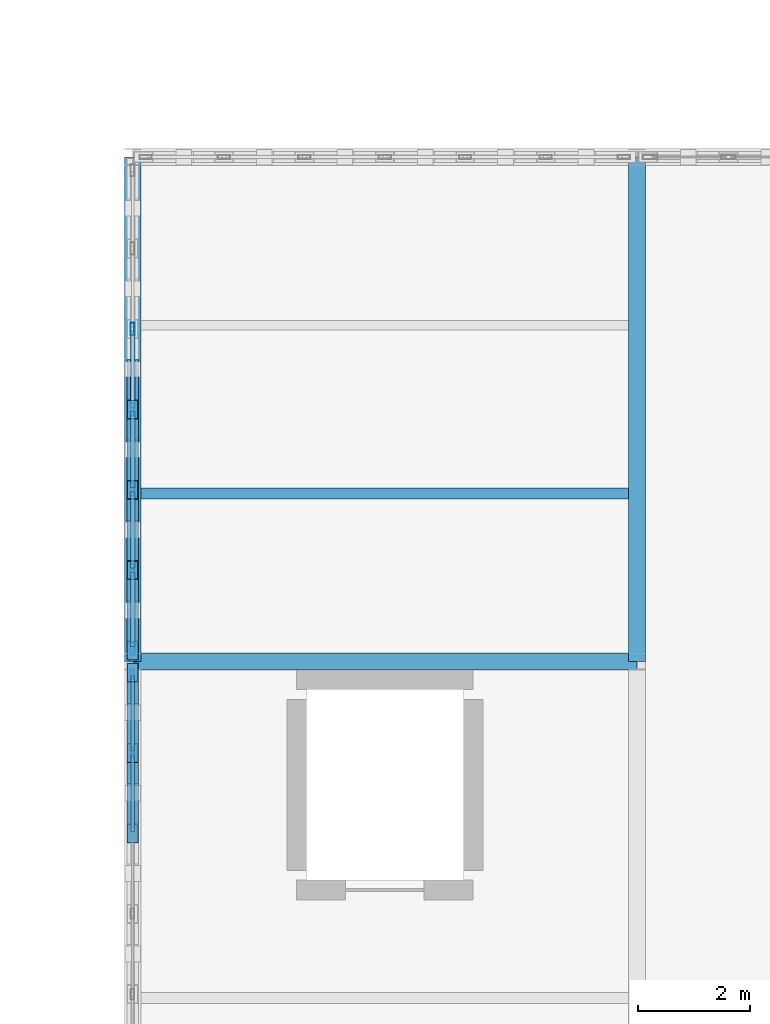
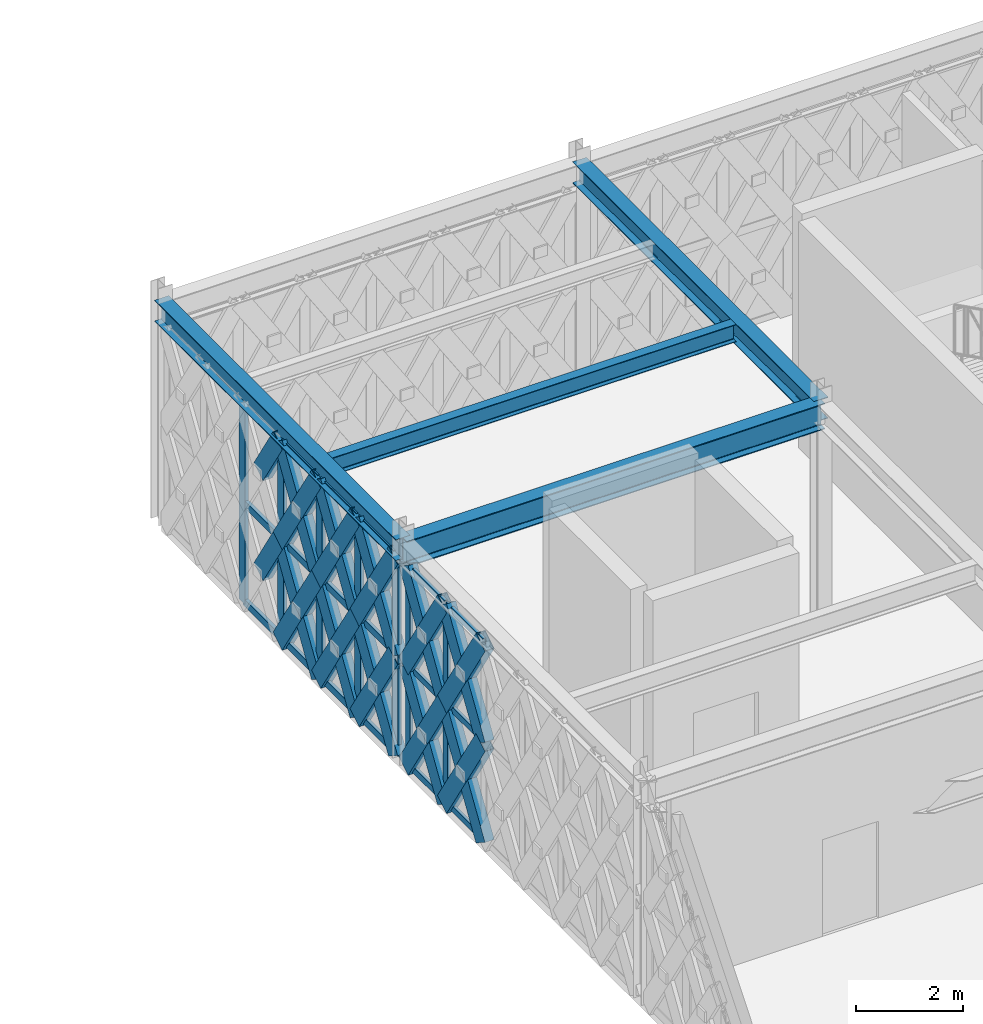
# One storey, part 82 of 155: 56 members, 4 beams, 2 elements without a shape of their own.
"""IFC4 building model written with IfcOpenShell, lengths in metres."""

import ifcopenshell
import ifcopenshell.guid

model = None  # the IFC model being written
_history = None  # IfcOwnerHistory: only IFC2X3 demands one
_inside = {}  # id of a spatial element -> (the spatial element, [elements in it])
_under = {}  # id of a project, library or spatial element -> (it, [spatial elements below it])
_declared = {}  # id of a project -> (the project, [libraries it declares])
_typed = {}  # id of a type object -> (the type object, [elements of that type])
_made_of = {}  # id of a material, layer set ... -> (it, [elements and type objects made of it])


def new_model(schema):
    """Start an empty IFC model of exactly this schema.

    Asked for "IFC4X3", IfcOpenShell would pick the latest addendum, in which some entities
    have other attributes; the version numbers below select the first issue.
    IFC2X3 requires an IfcOwnerHistory on every rooted entity: one is made here for all.
    """
    global model, _history
    if schema == "IFC4X3":
        model = ifcopenshell.file(schema_version=(4, 3, 0, 0))
    else:
        model = ifcopenshell.file(schema=schema)
    _inside.clear()
    _under.clear()
    _declared.clear()
    _typed.clear()
    _made_of.clear()
    _history = None
    if model.schema == "IFC2X3":
        org = make("IfcOrganization", Name="unknown")
        user = make(
            "IfcPersonAndOrganization",
            ThePerson=make("IfcPerson", FamilyName="unknown"),
            TheOrganization=org,
        )
        app = make(
            "IfcApplication",
            ApplicationDeveloper=org,
            Version="unknown",
            ApplicationFullName="unknown",
            ApplicationIdentifier="unknown",
        )
        _history = make(
            "IfcOwnerHistory",
            OwningUser=user,
            OwningApplication=app,
            ChangeAction="ADDED",
            CreationDate=0,
        )
    return model


def make(cls, **values):
    """One entity of the class cls with the attributes given. An attribute that is None is left unset."""
    return model.create_entity(
        cls, **{name: value for name, value in values.items() if value is not None}
    )


def rooted(cls, **values):
    """An entity with a GlobalId (a new one), such as an element, a storey or a relation."""
    return make(cls, GlobalId=ifcopenshell.guid.new(), OwnerHistory=_history, **values)


def si_unit(unit_type, name, prefix=None):
    """IfcSIUnit, for example si_unit("LENGTHUNIT", "METRE", prefix="MILLI")."""
    return make("IfcSIUnit", UnitType=unit_type, Prefix=prefix, Name=name)


def assignment(units):
    """IfcUnitAssignment: the units of a project."""
    return None if units is None else make("IfcUnitAssignment", Units=units)


def point(xyz):
    """IfcCartesianPoint."""
    return None if xyz is None else make("IfcCartesianPoint", Coordinates=xyz)


def direction(xyz):
    """IfcDirection."""
    return None if xyz is None else make("IfcDirection", DirectionRatios=xyz)


def frame(location, z_axis=None, x_axis=None):
    """IfcAxis2Placement3D, a coordinate frame: its origin and axes. An axis left out is left unset."""
    return make(
        "IfcAxis2Placement3D",
        Location=point(location),
        Axis=direction(z_axis),
        RefDirection=direction(x_axis),
    )


def frame_2d(location, x_axis=None):
    """IfcAxis2Placement2D, a coordinate frame in the plane: its origin and x axis."""
    return make(
        "IfcAxis2Placement2D", Location=point(location), RefDirection=direction(x_axis)
    )


def origin():
    """The frame at (0, 0, 0) with its axes left unset."""
    return frame((0.0, 0.0, 0.0))


def origin_2d():
    """The frame at (0, 0) in the plane with its x axis left unset."""
    return frame_2d((0.0, 0.0))


def place(relative_to, where):
    """IfcLocalPlacement: puts the frame where relative to a parent placement (None: the world)."""
    return make(
        "IfcLocalPlacement", PlacementRelTo=relative_to, RelativePlacement=where
    )


def context(
    kind, dimensions, precision=None, world=None, true_north=None, identifier=None
):
    """IfcGeometricRepresentationContext, for example the 3D "Model" context."""
    return make(
        "IfcGeometricRepresentationContext",
        ContextIdentifier=identifier,
        ContextType=kind,
        CoordinateSpaceDimension=dimensions,
        Precision=precision,
        WorldCoordinateSystem=world,
        TrueNorth=true_north,
    )


def subcontext(parent, identifier, kind, view, scale=None):
    """IfcGeometricRepresentationSubContext, for example "Body" below "Model"."""
    return make(
        "IfcGeometricRepresentationSubContext",
        ContextIdentifier=identifier,
        ContextType=kind,
        ParentContext=parent,
        TargetScale=scale,
        TargetView=view,
    )


def project(units=None, contexts=None):
    """IfcProject with its units and contexts."""
    return rooted(
        "IfcProject",
        Name="project",
        RepresentationContexts=contexts,
        UnitsInContext=assignment(units),
    )


def spatial(cls, under=None, at=None, **own):
    """A site, building, storey or space (cls), placed at a placement, below another one or the project."""
    s = rooted(cls, ObjectPlacement=at, **own)
    if under is not None:
        _under.setdefault(under.id(), (under, []))[1].append(s)
    return s


def profile(cls, at=None, kind="AREA", **sizes):
    """A parametric profile (cls). Its sizes go by their IFC names, for example OverallWidth=200.0."""
    return make(cls, ProfileType=kind, Position=at, **sizes)


def hollow_rectangle(**sizes):
    """IfcRectangleHollowProfileDef."""
    return profile("IfcRectangleHollowProfileDef", **sizes)


def i_section(**sizes):
    """IfcIShapeProfileDef."""
    return profile("IfcIShapeProfileDef", **sizes)


def extrude(swept, where, along, depth):
    """IfcExtrudedAreaSolid: the profile swept, set in the frame where, extruded along a direction by depth."""
    return make(
        "IfcExtrudedAreaSolid",
        SweptArea=swept,
        Position=where,
        ExtrudedDirection=direction(along),
        Depth=depth,
    )


def shape(context_of_items, identifier, shape_type, items):
    """IfcShapeRepresentation: the items that make up one representation, for example the "Body"."""
    return make(
        "IfcShapeRepresentation",
        ContextOfItems=context_of_items,
        RepresentationIdentifier=identifier,
        RepresentationType=shape_type,
        Items=items,
    )


def material(Name=None, Category=None):
    """IfcMaterial."""
    return make("IfcMaterial", Name=Name, Category=Category)


def material_profile(
    of_material, cross_section, Name=None, Category=None, Priority=None
):
    """IfcMaterialProfile: a cross section and its material."""
    return make(
        "IfcMaterialProfile",
        Name=Name,
        Material=of_material,
        Profile=cross_section,
        Priority=Priority,
        Category=Category,
    )


def profile_set(profiles, Name=None, composite=None):
    """IfcMaterialProfileSet."""
    return make(
        "IfcMaterialProfileSet",
        Name=Name,
        MaterialProfiles=profiles,
        CompositeProfile=composite,
    )


def made_of(thing, what):
    """Note that an element or type object is made of a material, layer set ...; save() writes the relation."""
    if what is not None:
        _made_of.setdefault(what.id(), (what, []))[1].append(thing)
    return thing


def type_object(cls, material=None, **own):
    """A type object (cls), such as IfcWallType, which elements share."""
    return made_of(rooted(cls, **own), material)


def element(
    cls,
    number,
    at=None,
    inside=None,
    cuts=None,
    type_object=None,
    material=None,
    context=None,
    identifier="Body",
    shape_type=None,
    held_by="IfcProductDefinitionShape",
    body=None,
    shapes=None,
    **own,
):
    """One element of the class cls, such as IfcWall. Its Tag is "e" and its number.

    at: its placement. inside: the storey or other place that contains it. cuts: it is an
    opening in that element (IfcRelVoidsElement). A single representation is given by context,
    identifier, shape_type and body (its items); several are given by shapes. held_by: the class
    of the entity that holds the representations. save() writes the other relations.
    """
    e = rooted(cls, Tag="e%d" % number, ObjectPlacement=at, **own)
    if body is not None:
        shapes = [shape(context, identifier, shape_type, body)]
    if shapes is not None:
        e.Representation = make(held_by, Representations=shapes)
    if inside is not None:
        _inside.setdefault(inside.id(), (inside, []))[1].append(e)
    if cuts is not None:
        rooted(
            "IfcRelVoidsElement", RelatingBuildingElement=cuts, RelatedOpeningElement=e
        )
    if type_object is not None:
        _typed.setdefault(type_object.id(), (type_object, []))[1].append(e)
    return made_of(e, material)


def aggregate(whole, parts):
    """IfcRelAggregates: a whole, such as a stair, and the parts it consists of."""
    return rooted("IfcRelAggregates", RelatingObject=whole, RelatedObjects=parts)


def save(model, path):
    """Write the relations noted so far, then the file.

    IfcRelAggregates (storeys below a building ...), IfcRelContainedInSpatialStructure (elements
    in a storey), IfcRelDefinesByType, IfcRelAssociatesMaterial and IfcRelDeclares: one each for
    every whole, place, type object, material and project.
    """
    for whole, parts in _under.values():
        aggregate(whole, parts)
    for where, things in _inside.values():
        rooted(
            "IfcRelContainedInSpatialStructure",
            RelatedElements=things,
            RelatingStructure=where,
        )
    for kind, things in _typed.values():
        rooted("IfcRelDefinesByType", RelatedObjects=things, RelatingType=kind)
    for what, things in _made_of.values():
        rooted("IfcRelAssociatesMaterial", RelatedObjects=things, RelatingMaterial=what)
    for by, libraries in _declared.values():
        rooted("IfcRelDeclares", RelatingContext=by, RelatedDefinitions=libraries)
    model.write(path)


model = new_model("IFC4")

# Units and contexts
model_context = context("Model", 3, precision=1e-05, world=origin(), true_north=direction((0.0, 1.0)))
body_context = subcontext(model_context, "Body", "Model", "MODEL_VIEW")
ifc_project = project(units=[si_unit("LENGTHUNIT", "METRE"), si_unit("AREAUNIT", "SQUARE_METRE"), si_unit("VOLUMEUNIT", "CUBIC_METRE"), si_unit("PLANEANGLEUNIT", "RADIAN"), si_unit("MASSUNIT", "GRAM", prefix="KILO")], contexts=[model_context])

# Site, building, storey
site_placement = place(None, origin())
site = spatial("IfcSite", under=ifc_project, at=site_placement, CompositionType="ELEMENT")
building_placement = place(site_placement, origin())
building = spatial("IfcBuilding", under=site, at=building_placement, Name="Haizhuo Lancet Aquarium", CompositionType="ELEMENT")
storey_placement = place(building_placement, frame((0.0, 0.0, 10.800048828125)))
storey = spatial("IfcBuildingStorey", under=building, at=storey_placement, Name="L02", CompositionType="ELEMENT", Elevation=10.800048828125)

# Beams
ifc_material_1 = material(Name="Steel S355", Category="steel")
ifc_material_profile_1 = material_profile(ifc_material_1, i_section(OverallWidth=0.300048828125, OverallDepth=0.488037109375, WebThickness=0.010986328125, FlangeThickness=0.01806640625, FilletRadius=0.02392578125, at=origin_2d()), Name="HM 488x300x11x18")
ifc_profile_set_1 = profile_set([ifc_material_profile_1], Name="Steel S355")
beam_type_1 = type_object("IfcBeamType", Name="BM-ST-HM488", PredefinedType="BEAM", material=ifc_profile_set_1)
for number, where, z_axis, x_axis, name in (
    (1, (36.0, 27.0, 4.805908203125), (0.0, 1.0, 0.0), (-1.0, 0.0, 0.0), "L02 V7 primary girder BM-L02-V7-005"),
    (2, (45.0, 27.0, 4.805908203125), (0.0, 1.0, 0.0), (-1.0, 0.0, 0.0), "L02 V7 primary girder BM-L02-V7-012"),
):
    element("IfcBeam", number, at=place(storey_placement, frame(where, z_axis=z_axis, x_axis=x_axis)), inside=storey, type_object=beam_type_1, Name=name, PredefinedType="BEAM", context=body_context, shape_type="SweptSolid", body=[
        extrude(i_section(OverallWidth=0.300048828125, OverallDepth=0.488037109375, WebThickness=0.010986328125, FlangeThickness=0.01806640625, FilletRadius=0.02392578125, at=origin_2d()), origin(), (0.0, 0.0, 1.0), 9.0),
    ])
ifc_material_profile_2 = material_profile(ifc_material_1, i_section(OverallWidth=0.300048828125, OverallDepth=0.587890625, WebThickness=0.011962890625, FlangeThickness=0.02001953125, FilletRadius=0.02587890625, at=origin_2d()), Name="HM 588x300x12x20")
ifc_profile_set_2 = profile_set([ifc_material_profile_2], Name="Steel S355")
beam_type_2 = type_object("IfcBeamType", Name="BM-ST-HM588", PredefinedType="BEAM", material=ifc_profile_set_2)
beam_1_placement = place(storey_placement, frame((36.0, 27.0, 4.755859375), z_axis=(1.0, 0.0, 0.0), x_axis=(0.0, 1.0, 0.0)))
element("IfcBeam", 3, at=beam_1_placement, inside=storey, type_object=beam_type_2, Name="L02 V7 primary girder BM-L02-V7-006", PredefinedType="BEAM", context=body_context, shape_type="SweptSolid", body=[
    extrude(i_section(OverallWidth=0.300048828125, OverallDepth=0.587890625, WebThickness=0.011962890625, FlangeThickness=0.02001953125, FilletRadius=0.02587890625, at=origin_2d()), origin(), (0.0, 0.0, 1.0), 9.0),
])

# Curtain wall, members
ifc_material_2 = material(Name="Aluminium 6063-T6", Category="aluminium")
curtain_wall_type = type_object("IfcCurtainWallType", Name="CWD-8610x4560", PredefinedType="NOTDEFINED", material=ifc_material_2)
curtain_wall_1_placement = place(storey_placement, origin())
curtain_wall_1 = element("IfcCurtainWall", 4, at=curtain_wall_1_placement, inside=storey, type_object=curtain_wall_type, Name="L02 curtain wall CW-V7-L02-310", PredefinedType="NOTDEFINED")
ifc_material_profile_3 = material_profile(ifc_material_2, hollow_rectangle(XDim=0.06494140625, YDim=0.179931640625, WallThickness=0.00390625, at=origin_2d()), Name="ALU-M 65x180x4")
ifc_profile_set_3 = profile_set([ifc_material_profile_3], Name="Aluminium 6063-T6")
member_type_1 = type_object("IfcMemberType", Name="CW-MUL-1", PredefinedType="MULLION", material=ifc_profile_set_3)
member_1_placement = place(storey_placement, frame((36.0, 25.3701171875, 0.0), z_axis=(0.0, 0.0, 1.0), x_axis=(-1.0, 0.0, 0.0)))
member_1 = element("IfcMember", 5, at=member_1_placement, type_object=member_type_1, Name="CWD-86x45 mullion 6", PredefinedType="MULLION", context=body_context, shape_type="SweptSolid", body=[
    extrude(hollow_rectangle(XDim=0.06494140625, YDim=0.179931640625, WallThickness=0.00390625, at=origin_2d()), origin(), (0.0, 0.0, 1.0), 4.56201171875),
])
member_2_placement = place(storey_placement, frame((36.0, 26.77294921875, 0.0), z_axis=(0.0, 0.0, 1.0), x_axis=(-1.0, 0.0, 0.0)))
member_2 = element("IfcMember", 6, at=member_2_placement, type_object=member_type_1, Name="CWD-86x45 mullion 7", PredefinedType="MULLION", context=body_context, shape_type="SweptSolid", body=[
    extrude(hollow_rectangle(XDim=0.06494140625, YDim=0.179931640625, WallThickness=0.00390625, at=origin_2d()), origin(), (0.0, 0.0, 1.0), 4.56201171875),
])

curtain_wall_2_placement = place(storey_placement, origin())
curtain_wall_2 = element("IfcCurtainWall", 7, at=curtain_wall_2_placement, inside=storey, type_object=curtain_wall_type, Name="L02 curtain wall CW-V7-L02-311", PredefinedType="NOTDEFINED")
ifc_material_profile_4 = material_profile(ifc_material_2, hollow_rectangle(XDim=0.074951171875, YDim=0.219970703125, WallThickness=0.0048828125, at=origin_2d()), Name="ALU-M 75x220x5")
ifc_profile_set_4 = profile_set([ifc_material_profile_4], Name="Aluminium 6063-T6")
member_type_2 = type_object("IfcMemberType", Name="CW-MUL-2", PredefinedType="MULLION", material=ifc_profile_set_4)
member_3_placement = place(storey_placement, frame((36.0, 27.23291015625, 0.0), z_axis=(0.0, 0.0, 1.0), x_axis=(-1.0, 0.0, 0.0)))
member_3 = element("IfcMember", 8, at=member_3_placement, type_object=member_type_2, Name="CWD-86x45 mullion 1", PredefinedType="MULLION", context=body_context, shape_type="SweptSolid", body=[
    extrude(hollow_rectangle(XDim=0.074951171875, YDim=0.219970703125, WallThickness=0.0048828125, at=origin_2d()), origin(), (0.0, 0.0, 1.0), 4.56201171875),
])
member_4_placement = place(storey_placement, frame((36.0, 28.6298828125, 0.0), z_axis=(0.0, 0.0, 1.0), x_axis=(-1.0, 0.0, 0.0)))
member_4 = element("IfcMember", 9, at=member_4_placement, type_object=member_type_2, Name="CWD-86x45 mullion 2", PredefinedType="MULLION", context=body_context, shape_type="SweptSolid", body=[
    extrude(hollow_rectangle(XDim=0.074951171875, YDim=0.219970703125, WallThickness=0.0048828125, at=origin_2d()), origin(), (0.0, 0.0, 1.0), 4.56201171875),
])
member_5_placement = place(storey_placement, frame((36.0, 30.06494140625, 0.0), z_axis=(0.0, 0.0, 1.0), x_axis=(-1.0, 0.0, 0.0)))
member_5 = element("IfcMember", 10, at=member_5_placement, type_object=member_type_2, Name="CWD-86x45 mullion 3", PredefinedType="MULLION", context=body_context, shape_type="SweptSolid", body=[
    extrude(hollow_rectangle(XDim=0.074951171875, YDim=0.219970703125, WallThickness=0.0048828125, at=origin_2d()), origin(), (0.0, 0.0, 1.0), 4.56201171875),
])
member_6_placement = place(storey_placement, frame((36.0, 31.5, 0.0), z_axis=(0.0, 0.0, 1.0), x_axis=(-1.0, 0.0, 0.0)))
member_6 = element("IfcMember", 11, at=member_6_placement, type_object=member_type_2, Name="CWD-86x45 mullion 4", PredefinedType="MULLION", context=body_context, shape_type="SweptSolid", body=[
    extrude(hollow_rectangle(XDim=0.074951171875, YDim=0.219970703125, WallThickness=0.0048828125, at=origin_2d()), origin(), (0.0, 0.0, 1.0), 4.56201171875),
])
member_7_placement = place(storey_placement, frame((36.0, 32.93505859375, 0.0), z_axis=(0.0, 0.0, 1.0), x_axis=(-1.0, 0.0, 0.0)))
member_7 = element("IfcMember", 12, at=member_7_placement, type_object=member_type_2, Name="CWD-86x45 mullion 5", PredefinedType="MULLION", context=body_context, shape_type="SweptSolid", body=[
    extrude(hollow_rectangle(XDim=0.074951171875, YDim=0.219970703125, WallThickness=0.0048828125, at=origin_2d()), origin(), (0.0, 0.0, 1.0), 4.56201171875),
])

# Member
ifc_material_profile_5 = material_profile(ifc_material_2, hollow_rectangle(XDim=0.06494140625, YDim=0.139892578125, WallThickness=0.00390625, at=origin_2d()), Name="ALU-T 65x140x4")
ifc_profile_set_5 = profile_set([ifc_material_profile_5], Name="Aluminium 6063-T6")
member_type_3 = type_object("IfcMemberType", Name="CW-TRN-1", PredefinedType="NOTDEFINED", material=ifc_profile_set_5)
member_8_placement = place(storey_placement, frame((36.0, 23.968017578125, 0.032958984375), z_axis=(0.0, 1.0, 0.0), x_axis=(-1.0, 0.0, 0.0)))
member_8 = element("IfcMember", 13, at=member_8_placement, type_object=member_type_3, Name="CWD-86x45 transom 5.1", ObjectType="TRANSOM", PredefinedType="USERDEFINED", context=body_context, shape_type="SweptSolid", body=[
    extrude(hollow_rectangle(XDim=0.06494140625, YDim=0.139892578125, WallThickness=0.00390625, at=origin_2d()), origin(), (0.0, 0.0, 1.0), 1.368896484375),
])

member_9_placement = place(storey_placement, frame((36.0, 23.968017578125, 2.281005859375), z_axis=(0.0, 1.0, 0.0), x_axis=(-1.0, 0.0, 0.0)))
member_9 = element("IfcMember", 14, at=member_9_placement, type_object=member_type_3, Name="CWD-86x45 transom 5.2", ObjectType="TRANSOM", PredefinedType="USERDEFINED", context=body_context, shape_type="SweptSolid", body=[
    extrude(hollow_rectangle(XDim=0.06494140625, YDim=0.139892578125, WallThickness=0.00390625, at=origin_2d()), origin(), (0.0, 0.0, 1.0), 1.368896484375),
])

member_10_placement = place(storey_placement, frame((36.0, 23.968017578125, 4.529052734375), z_axis=(0.0, 1.0, 0.0), x_axis=(-1.0, 0.0, 0.0)))
member_10 = element("IfcMember", 15, at=member_10_placement, type_object=member_type_3, Name="CWD-86x45 transom 5.3", ObjectType="TRANSOM", PredefinedType="USERDEFINED", context=body_context, shape_type="SweptSolid", body=[
    extrude(hollow_rectangle(XDim=0.06494140625, YDim=0.139892578125, WallThickness=0.00390625, at=origin_2d()), origin(), (0.0, 0.0, 1.0), 1.368896484375),
])

member_11_placement = place(storey_placement, frame((36.0, 25.402099609375, 0.032958984375), z_axis=(0.0, 1.0, 0.0), x_axis=(-1.0, 0.0, 0.0)))
member_11 = element("IfcMember", 16, at=member_11_placement, type_object=member_type_3, Name="CWD-86x45 transom 6.1", ObjectType="TRANSOM", PredefinedType="USERDEFINED", context=body_context, shape_type="SweptSolid", body=[
    extrude(hollow_rectangle(XDim=0.06494140625, YDim=0.139892578125, WallThickness=0.00390625, at=origin_2d()), origin(), (0.0, 0.0, 1.0), 1.337890625),
])

member_12_placement = place(storey_placement, frame((36.0, 25.402099609375, 2.281005859375), z_axis=(0.0, 1.0, 0.0), x_axis=(-1.0, 0.0, 0.0)))
member_12 = element("IfcMember", 17, at=member_12_placement, type_object=member_type_3, Name="CWD-86x45 transom 6.2", ObjectType="TRANSOM", PredefinedType="USERDEFINED", context=body_context, shape_type="SweptSolid", body=[
    extrude(hollow_rectangle(XDim=0.06494140625, YDim=0.139892578125, WallThickness=0.00390625, at=origin_2d()), origin(), (0.0, 0.0, 1.0), 1.337890625),
])

member_13_placement = place(storey_placement, frame((36.0, 25.402099609375, 4.529052734375), z_axis=(0.0, 1.0, 0.0), x_axis=(-1.0, 0.0, 0.0)))
member_13 = element("IfcMember", 18, at=member_13_placement, type_object=member_type_3, Name="CWD-86x45 transom 6.3", ObjectType="TRANSOM", PredefinedType="USERDEFINED", context=body_context, shape_type="SweptSolid", body=[
    extrude(hollow_rectangle(XDim=0.06494140625, YDim=0.139892578125, WallThickness=0.00390625, at=origin_2d()), origin(), (0.0, 0.0, 1.0), 1.337890625),
])

aggregate(curtain_wall_1, [member_1, member_2, member_8, member_9, member_10, member_11, member_12, member_13])

ifc_material_profile_6 = material_profile(ifc_material_2, hollow_rectangle(XDim=0.074951171875, YDim=0.159912109375, WallThickness=0.00390625, at=origin_2d()), Name="ALU-T 75x160x4")
ifc_profile_set_6 = profile_set([ifc_material_profile_6], Name="Aluminium 6063-T6")
member_type_4 = type_object("IfcMemberType", Name="CW-TRN-2", PredefinedType="NOTDEFINED", material=ifc_profile_set_6)
member_14_placement = place(storey_placement, frame((36.0, 27.27001953125, 0.037841796875), z_axis=(0.0, 1.0, 0.0), x_axis=(-1.0, 0.0, 0.0)))
member_14 = element("IfcMember", 19, at=member_14_placement, type_object=member_type_4, Name="CWD-86x45 transom 1.1", ObjectType="TRANSOM", PredefinedType="USERDEFINED", context=body_context, shape_type="SweptSolid", body=[
    extrude(hollow_rectangle(XDim=0.074951171875, YDim=0.159912109375, WallThickness=0.00390625, at=origin_2d()), origin(), (0.0, 0.0, 1.0), 1.322998046875),
])

member_15_placement = place(storey_placement, frame((36.0, 27.27001953125, 2.281005859375), z_axis=(0.0, 1.0, 0.0), x_axis=(-1.0, 0.0, 0.0)))
member_15 = element("IfcMember", 20, at=member_15_placement, type_object=member_type_4, Name="CWD-86x45 transom 1.2", ObjectType="TRANSOM", PredefinedType="USERDEFINED", context=body_context, shape_type="SweptSolid", body=[
    extrude(hollow_rectangle(XDim=0.074951171875, YDim=0.159912109375, WallThickness=0.00390625, at=origin_2d()), origin(), (0.0, 0.0, 1.0), 1.322998046875),
])

member_16_placement = place(storey_placement, frame((36.0, 27.27001953125, 4.52490234375), z_axis=(0.0, 1.0, 0.0), x_axis=(-1.0, 0.0, 0.0)))
member_16 = element("IfcMember", 21, at=member_16_placement, type_object=member_type_4, Name="CWD-86x45 transom 1.3", ObjectType="TRANSOM", PredefinedType="USERDEFINED", context=body_context, shape_type="SweptSolid", body=[
    extrude(hollow_rectangle(XDim=0.074951171875, YDim=0.159912109375, WallThickness=0.00390625, at=origin_2d()), origin(), (0.0, 0.0, 1.0), 1.322998046875),
])

member_17_placement = place(storey_placement, frame((36.0, 28.66796875, 0.037841796875), z_axis=(0.0, 1.0, 0.0), x_axis=(-1.0, 0.0, 0.0)))
member_17 = element("IfcMember", 22, at=member_17_placement, type_object=member_type_4, Name="CWD-86x45 transom 2.1", ObjectType="TRANSOM", PredefinedType="USERDEFINED", context=body_context, shape_type="SweptSolid", body=[
    extrude(hollow_rectangle(XDim=0.074951171875, YDim=0.159912109375, WallThickness=0.00390625, at=origin_2d()), origin(), (0.0, 0.0, 1.0), 1.359130859375),
])

member_18_placement = place(storey_placement, frame((36.0, 28.66796875, 2.281005859375), z_axis=(0.0, 1.0, 0.0), x_axis=(-1.0, 0.0, 0.0)))
member_18 = element("IfcMember", 23, at=member_18_placement, type_object=member_type_4, Name="CWD-86x45 transom 2.2", ObjectType="TRANSOM", PredefinedType="USERDEFINED", context=body_context, shape_type="SweptSolid", body=[
    extrude(hollow_rectangle(XDim=0.074951171875, YDim=0.159912109375, WallThickness=0.00390625, at=origin_2d()), origin(), (0.0, 0.0, 1.0), 1.359130859375),
])

member_19_placement = place(storey_placement, frame((36.0, 28.66796875, 4.52490234375), z_axis=(0.0, 1.0, 0.0), x_axis=(-1.0, 0.0, 0.0)))
member_19 = element("IfcMember", 24, at=member_19_placement, type_object=member_type_4, Name="CWD-86x45 transom 2.3", ObjectType="TRANSOM", PredefinedType="USERDEFINED", context=body_context, shape_type="SweptSolid", body=[
    extrude(hollow_rectangle(XDim=0.074951171875, YDim=0.159912109375, WallThickness=0.00390625, at=origin_2d()), origin(), (0.0, 0.0, 1.0), 1.359130859375),
])

member_20_placement = place(storey_placement, frame((36.0, 30.10205078125, 0.037841796875), z_axis=(0.0, 1.0, 0.0), x_axis=(-1.0, 0.0, 0.0)))
member_20 = element("IfcMember", 25, at=member_20_placement, type_object=member_type_4, Name="CWD-86x45 transom 3.1", ObjectType="TRANSOM", PredefinedType="USERDEFINED", context=body_context, shape_type="SweptSolid", body=[
    extrude(hollow_rectangle(XDim=0.074951171875, YDim=0.159912109375, WallThickness=0.00390625, at=origin_2d()), origin(), (0.0, 0.0, 1.0), 1.35986328125),
])

member_21_placement = place(storey_placement, frame((36.0, 30.10205078125, 2.281005859375), z_axis=(0.0, 1.0, 0.0), x_axis=(-1.0, 0.0, 0.0)))
member_21 = element("IfcMember", 26, at=member_21_placement, type_object=member_type_4, Name="CWD-86x45 transom 3.2", ObjectType="TRANSOM", PredefinedType="USERDEFINED", context=body_context, shape_type="SweptSolid", body=[
    extrude(hollow_rectangle(XDim=0.074951171875, YDim=0.159912109375, WallThickness=0.00390625, at=origin_2d()), origin(), (0.0, 0.0, 1.0), 1.35986328125),
])

member_22_placement = place(storey_placement, frame((36.0, 30.10205078125, 4.52490234375), z_axis=(0.0, 1.0, 0.0), x_axis=(-1.0, 0.0, 0.0)))
member_22 = element("IfcMember", 27, at=member_22_placement, type_object=member_type_4, Name="CWD-86x45 transom 3.3", ObjectType="TRANSOM", PredefinedType="USERDEFINED", context=body_context, shape_type="SweptSolid", body=[
    extrude(hollow_rectangle(XDim=0.074951171875, YDim=0.159912109375, WallThickness=0.00390625, at=origin_2d()), origin(), (0.0, 0.0, 1.0), 1.35986328125),
])

member_23_placement = place(storey_placement, frame((36.0, 31.5380859375, 0.037841796875), z_axis=(0.0, 1.0, 0.0), x_axis=(-1.0, 0.0, 0.0)))
member_23 = element("IfcMember", 28, at=member_23_placement, type_object=member_type_4, Name="CWD-86x45 transom 4.1", ObjectType="TRANSOM", PredefinedType="USERDEFINED", context=body_context, shape_type="SweptSolid", body=[
    extrude(hollow_rectangle(XDim=0.074951171875, YDim=0.159912109375, WallThickness=0.00390625, at=origin_2d()), origin(), (0.0, 0.0, 1.0), 1.35986328125),
])

member_24_placement = place(storey_placement, frame((36.0, 31.5380859375, 2.281005859375), z_axis=(0.0, 1.0, 0.0), x_axis=(-1.0, 0.0, 0.0)))
member_24 = element("IfcMember", 29, at=member_24_placement, type_object=member_type_4, Name="CWD-86x45 transom 4.2", ObjectType="TRANSOM", PredefinedType="USERDEFINED", context=body_context, shape_type="SweptSolid", body=[
    extrude(hollow_rectangle(XDim=0.074951171875, YDim=0.159912109375, WallThickness=0.00390625, at=origin_2d()), origin(), (0.0, 0.0, 1.0), 1.35986328125),
])

aggregate(curtain_wall_2, [member_3, member_4, member_5, member_6, member_7, member_14, member_15, member_16, member_17, member_18, member_19, member_20, member_21, member_22, member_23, member_24])

# Beam
ifc_material_profile_7 = material_profile(ifc_material_1, i_section(OverallWidth=0.199951171875, OverallDepth=0.39990234375, WebThickness=0.008056640625, FlangeThickness=0.012939453125, FilletRadius=0.01611328125, at=origin_2d()), Name="HN 400x200x8x13")
ifc_profile_set_7 = profile_set([ifc_material_profile_7], Name="Steel S355")
beam_type_3 = type_object("IfcBeamType", Name="JST-ST-HN400", PredefinedType="JOIST", material=ifc_profile_set_7)
beam_2_placement = place(storey_placement, frame((36.14990234375, 30.0, 4.849853515625), z_axis=(1.0, 0.0, 0.0), x_axis=(0.0, 1.0, 0.0)))
element("IfcBeam", 30, at=beam_2_placement, inside=storey, type_object=beam_type_3, Name="L02 V7 secondary floor joist 4", PredefinedType="JOIST", context=body_context, shape_type="SweptSolid", body=[
    extrude(i_section(OverallWidth=0.199951171875, OverallDepth=0.39990234375, WebThickness=0.008056640625, FlangeThickness=0.012939453125, FilletRadius=0.01611328125, at=origin_2d()), origin(), (0.0, 0.0, 1.0), 8.7001953125),
])

# Members
ifc_material_profile_8 = material_profile(ifc_material_1, hollow_rectangle(XDim=0.199951171875, YDim=0.39990234375, WallThickness=0.011962890625, at=origin_2d()), Name="RHS 200x400x12")
ifc_profile_set_8 = profile_set([ifc_material_profile_8], Name="Steel S355")
member_type_5 = type_object("IfcMemberType", Name="MEM-LB-RHS200x400", PredefinedType="BRACE", material=ifc_profile_set_8)
member_25_placement = place(storey_placement, frame((36.0, 23.93505859375, 0.0), z_axis=(0.0, 0.532512886885, 0.846421895571), x_axis=(-1.0, 0.0, 0.0)))
element("IfcMember", 31, at=member_25_placement, inside=storey, type_object=member_type_5, Name="Gothic lancet continuous diagonal brace CW-V7-L02-310 9A", PredefinedType="BRACE", context=body_context, shape_type="SweptSolid", body=[
    extrude(hollow_rectangle(XDim=0.199951171875, YDim=0.39990234375, WallThickness=0.011962890625, at=origin_2d()), origin(), (0.0, 0.0, 1.0), 2.69482421875),
])
member_26_placement = place(storey_placement, frame((36.0, 25.3701171875, 0.0), z_axis=(0.0, -0.532649938865, 0.846335656006), x_axis=(1.0, 0.0, 0.0)))
element("IfcMember", 32, at=member_26_placement, inside=storey, type_object=member_type_5, Name="Gothic lancet split diagonal brace CW-V7-L02-310 9B1", PredefinedType="BRACE", context=body_context, shape_type="SweptSolid", body=[
    extrude(hollow_rectangle(XDim=0.199951171875, YDim=0.39990234375, WallThickness=0.011962890625, at=origin_2d()), origin(), (0.0, 0.0, 1.0), 1.347900390625),
])
member_27_placement = place(storey_placement, frame((36.0, 24.652099609375, 1.140869140625), z_axis=(0.0, -0.532375704926, 0.846508185905), x_axis=(1.0, 0.0, 0.0)))
element("IfcMember", 33, at=member_27_placement, inside=storey, type_object=member_type_5, Name="Gothic lancet split diagonal brace CW-V7-L02-310 9B2", PredefinedType="BRACE", context=body_context, shape_type="SweptSolid", body=[
    extrude(hollow_rectangle(XDim=0.199951171875, YDim=0.39990234375, WallThickness=0.011962890625, at=origin_2d()), origin(), (0.0, 0.0, 1.0), 1.346923828125),
])
member_28_placement = place(storey_placement, frame((36.0, 23.93505859375, 2.281005859375), z_axis=(0.0, 0.532512886885, 0.846421895571), x_axis=(-1.0, 0.0, 0.0)))
element("IfcMember", 34, at=member_28_placement, inside=storey, type_object=member_type_5, Name="Gothic lancet continuous diagonal brace CW-V7-L02-310 10A", PredefinedType="BRACE", context=body_context, shape_type="SweptSolid", body=[
    extrude(hollow_rectangle(XDim=0.199951171875, YDim=0.39990234375, WallThickness=0.011962890625, at=origin_2d()), origin(), (0.0, 0.0, 1.0), 2.69482421875),
])
member_29_placement = place(storey_placement, frame((36.0, 25.3701171875, 2.281005859375), z_axis=(0.0, -0.532976680835, 0.846129929554), x_axis=(1.0, 0.0, 0.0)))
element("IfcMember", 35, at=member_29_placement, inside=storey, type_object=member_type_5, Name="Gothic lancet split diagonal brace CW-V7-L02-310 10B1", PredefinedType="BRACE", context=body_context, shape_type="SweptSolid", body=[
    extrude(hollow_rectangle(XDim=0.199951171875, YDim=0.39990234375, WallThickness=0.011962890625, at=origin_2d()), origin(), (0.0, 0.0, 1.0), 1.34716796875),
])
member_30_placement = place(storey_placement, frame((36.0, 24.652099609375, 3.4208984375), z_axis=(0.0, -0.532049109697, 0.846713496332), x_axis=(1.0, 0.0, 0.0)))
element("IfcMember", 36, at=member_30_placement, inside=storey, type_object=member_type_5, Name="Gothic lancet split diagonal brace CW-V7-L02-310 10B2", PredefinedType="BRACE", context=body_context, shape_type="SweptSolid", body=[
    extrude(hollow_rectangle(XDim=0.199951171875, YDim=0.39990234375, WallThickness=0.011962890625, at=origin_2d()), origin(), (0.0, 0.0, 1.0), 1.34765625),
])
member_31_placement = place(storey_placement, frame((36.0, 25.3701171875, 0.0), z_axis=(0.0, 0.532447977761, 0.846462728641), x_axis=(-1.0, 0.0, 0.0)))
element("IfcMember", 37, at=member_31_placement, inside=storey, type_object=member_type_5, Name="Gothic lancet continuous diagonal brace CW-V7-L02-310 11A", PredefinedType="BRACE", context=body_context, shape_type="SweptSolid", body=[
    extrude(hollow_rectangle(XDim=0.199951171875, YDim=0.39990234375, WallThickness=0.011962890625, at=origin_2d()), origin(), (0.0, 0.0, 1.0), 2.69482421875),
])
member_32_placement = place(storey_placement, frame((36.0, 26.804931640625, 0.0), z_axis=(0.0, -0.532649938865, 0.846335656006), x_axis=(1.0, 0.0, 0.0)))
element("IfcMember", 38, at=member_32_placement, inside=storey, type_object=member_type_5, Name="Gothic lancet split diagonal brace CW-V7-L02-310 11B1", PredefinedType="BRACE", context=body_context, shape_type="SweptSolid", body=[
    extrude(hollow_rectangle(XDim=0.199951171875, YDim=0.39990234375, WallThickness=0.011962890625, at=origin_2d()), origin(), (0.0, 0.0, 1.0), 1.347900390625),
])
member_33_placement = place(storey_placement, frame((36.0, 26.0869140625, 1.140869140625), z_axis=(0.0, -0.532245795857, 0.846589872838), x_axis=(1.0, 0.0, 0.0)))
element("IfcMember", 39, at=member_33_placement, inside=storey, type_object=member_type_5, Name="Gothic lancet split diagonal brace CW-V7-L02-310 11B2", PredefinedType="BRACE", context=body_context, shape_type="SweptSolid", body=[
    extrude(hollow_rectangle(XDim=0.199951171875, YDim=0.39990234375, WallThickness=0.011962890625, at=origin_2d()), origin(), (0.0, 0.0, 1.0), 1.3466796875),
])
member_34_placement = place(storey_placement, frame((36.0, 25.3701171875, 2.281005859375), z_axis=(0.0, 0.532447977761, 0.846462728641), x_axis=(-1.0, 0.0, 0.0)))
element("IfcMember", 40, at=member_34_placement, inside=storey, type_object=member_type_5, Name="Gothic lancet continuous diagonal brace CW-V7-L02-310 12A", PredefinedType="BRACE", context=body_context, shape_type="SweptSolid", body=[
    extrude(hollow_rectangle(XDim=0.199951171875, YDim=0.39990234375, WallThickness=0.011962890625, at=origin_2d()), origin(), (0.0, 0.0, 1.0), 2.69482421875),
])
member_35_placement = place(storey_placement, frame((36.0, 26.804931640625, 2.281005859375), z_axis=(0.0, -0.532976680835, 0.846129929554), x_axis=(1.0, 0.0, 0.0)))
element("IfcMember", 41, at=member_35_placement, inside=storey, type_object=member_type_5, Name="Gothic lancet split diagonal brace CW-V7-L02-310 12B1", PredefinedType="BRACE", context=body_context, shape_type="SweptSolid", body=[
    extrude(hollow_rectangle(XDim=0.199951171875, YDim=0.39990234375, WallThickness=0.011962890625, at=origin_2d()), origin(), (0.0, 0.0, 1.0), 1.34716796875),
])
member_36_placement = place(storey_placement, frame((36.0, 26.0869140625, 3.4208984375), z_axis=(0.0, -0.531919217362, 0.846795102844), x_axis=(1.0, 0.0, 0.0)))
element("IfcMember", 42, at=member_36_placement, inside=storey, type_object=member_type_5, Name="Gothic lancet split diagonal brace CW-V7-L02-310 12B2", PredefinedType="BRACE", context=body_context, shape_type="SweptSolid", body=[
    extrude(hollow_rectangle(XDim=0.199951171875, YDim=0.39990234375, WallThickness=0.011962890625, at=origin_2d()), origin(), (0.0, 0.0, 1.0), 1.34765625),
])
member_37_placement = place(storey_placement, frame((36.0, 27.195068359375, 0.0), z_axis=(0.0, 0.532447977761, 0.846462728641), x_axis=(-1.0, 0.0, 0.0)))
element("IfcMember", 43, at=member_37_placement, inside=storey, type_object=member_type_5, Name="Gothic lancet continuous diagonal brace CW-V7-L02-311 1A", PredefinedType="BRACE", context=body_context, shape_type="SweptSolid", body=[
    extrude(hollow_rectangle(XDim=0.199951171875, YDim=0.39990234375, WallThickness=0.011962890625, at=origin_2d()), origin(), (0.0, 0.0, 1.0), 2.69482421875),
])
for number, where, z_axis, x_axis, name in (
    (44, (36.0, 28.6298828125, 0.0), (0.0, -0.532000831826, 0.846743830764), (1.0, 0.0, 0.0), "Gothic lancet split diagonal brace CW-V7-L02-311 1B1"),
    (45, (36.0, 27.9130859375, 1.140869140625), (0.0, -0.532894965217, 0.846181396656), (1.0, 0.0, 0.0), "Gothic lancet split diagonal brace CW-V7-L02-311 1B2"),
):
    element("IfcMember", number, at=place(storey_placement, frame(where, z_axis=z_axis, x_axis=x_axis)), inside=storey, type_object=member_type_5, Name=name, PredefinedType="BRACE", context=body_context, shape_type="SweptSolid", body=[
        extrude(hollow_rectangle(XDim=0.199951171875, YDim=0.39990234375, WallThickness=0.011962890625, at=origin_2d()), origin(), (0.0, 0.0, 1.0), 1.347412109375),
    ])
member_38_placement = place(storey_placement, frame((36.0, 27.195068359375, 2.281005859375), z_axis=(0.0, 0.532447977761, 0.846462728641), x_axis=(-1.0, 0.0, 0.0)))
element("IfcMember", 46, at=member_38_placement, inside=storey, type_object=member_type_5, Name="Gothic lancet continuous diagonal brace CW-V7-L02-311 2A", PredefinedType="BRACE", context=body_context, shape_type="SweptSolid", body=[
    extrude(hollow_rectangle(XDim=0.199951171875, YDim=0.39990234375, WallThickness=0.011962890625, at=origin_2d()), origin(), (0.0, 0.0, 1.0), 2.69482421875),
])
member_39_placement = place(storey_placement, frame((36.0, 28.6298828125, 2.281005859375), z_axis=(0.0, -0.532327490763, 0.846538506258), x_axis=(1.0, 0.0, 0.0)))
element("IfcMember", 47, at=member_39_placement, inside=storey, type_object=member_type_5, Name="Gothic lancet split diagonal brace CW-V7-L02-311 2B1", PredefinedType="BRACE", context=body_context, shape_type="SweptSolid", body=[
    extrude(hollow_rectangle(XDim=0.199951171875, YDim=0.39990234375, WallThickness=0.011962890625, at=origin_2d()), origin(), (0.0, 0.0, 1.0), 1.346435546875),
])
member_40_placement = place(storey_placement, frame((36.0, 27.9130859375, 3.4208984375), z_axis=(0.0, -0.532568303565, 0.846387028515), x_axis=(1.0, 0.0, 0.0)))
element("IfcMember", 48, at=member_40_placement, inside=storey, type_object=member_type_5, Name="Gothic lancet split diagonal brace CW-V7-L02-311 2B2", PredefinedType="BRACE", context=body_context, shape_type="SweptSolid", body=[
    extrude(hollow_rectangle(XDim=0.199951171875, YDim=0.39990234375, WallThickness=0.011962890625, at=origin_2d()), origin(), (0.0, 0.0, 1.0), 1.34814453125),
])
member_41_placement = place(storey_placement, frame((36.0, 28.6298828125, 0.0), z_axis=(0.0, 0.532512886885, 0.846421895571), x_axis=(-1.0, 0.0, 0.0)))
element("IfcMember", 49, at=member_41_placement, inside=storey, type_object=member_type_5, Name="Gothic lancet continuous diagonal brace CW-V7-L02-311 3A", PredefinedType="BRACE", context=body_context, shape_type="SweptSolid", body=[
    extrude(hollow_rectangle(XDim=0.199951171875, YDim=0.39990234375, WallThickness=0.011962890625, at=origin_2d()), origin(), (0.0, 0.0, 1.0), 2.69482421875),
])
for number, where, z_axis, x_axis, name in (
    (50, (36.0, 30.06494140625, 0.0), (0.0, -0.532130728354, 0.846662204153), (1.0, 0.0, 0.0), "Gothic lancet split diagonal brace CW-V7-L02-311 3B1"),
    (51, (36.0, 29.347900390625, 1.140869140625), (0.0, -0.532894965217, 0.846181396656), (1.0, 0.0, 0.0), "Gothic lancet split diagonal brace CW-V7-L02-311 3B2"),
):
    element("IfcMember", number, at=place(storey_placement, frame(where, z_axis=z_axis, x_axis=x_axis)), inside=storey, type_object=member_type_5, Name=name, PredefinedType="BRACE", context=body_context, shape_type="SweptSolid", body=[
        extrude(hollow_rectangle(XDim=0.199951171875, YDim=0.39990234375, WallThickness=0.011962890625, at=origin_2d()), origin(), (0.0, 0.0, 1.0), 1.347412109375),
    ])
member_42_placement = place(storey_placement, frame((36.0, 28.6298828125, 2.281005859375), z_axis=(0.0, 0.532512886885, 0.846421895571), x_axis=(-1.0, 0.0, 0.0)))
element("IfcMember", 52, at=member_42_placement, inside=storey, type_object=member_type_5, Name="Gothic lancet continuous diagonal brace CW-V7-L02-311 4A", PredefinedType="BRACE", context=body_context, shape_type="SweptSolid", body=[
    extrude(hollow_rectangle(XDim=0.199951171875, YDim=0.39990234375, WallThickness=0.011962890625, at=origin_2d()), origin(), (0.0, 0.0, 1.0), 2.69482421875),
])
member_43_placement = place(storey_placement, frame((36.0, 30.06494140625, 2.281005859375), z_axis=(0.0, -0.532457404, 0.846456799208), x_axis=(1.0, 0.0, 0.0)))
element("IfcMember", 53, at=member_43_placement, inside=storey, type_object=member_type_5, Name="Gothic lancet split diagonal brace CW-V7-L02-311 4B1", PredefinedType="BRACE", context=body_context, shape_type="SweptSolid", body=[
    extrude(hollow_rectangle(XDim=0.199951171875, YDim=0.39990234375, WallThickness=0.011962890625, at=origin_2d()), origin(), (0.0, 0.0, 1.0), 1.3466796875),
])
member_44_placement = place(storey_placement, frame((36.0, 29.347900390625, 3.4208984375), z_axis=(0.0, -0.532568303565, 0.846387028515), x_axis=(1.0, 0.0, 0.0)))
element("IfcMember", 54, at=member_44_placement, inside=storey, type_object=member_type_5, Name="Gothic lancet split diagonal brace CW-V7-L02-311 4B2", PredefinedType="BRACE", context=body_context, shape_type="SweptSolid", body=[
    extrude(hollow_rectangle(XDim=0.199951171875, YDim=0.39990234375, WallThickness=0.011962890625, at=origin_2d()), origin(), (0.0, 0.0, 1.0), 1.34814453125),
])
member_45_placement = place(storey_placement, frame((36.0, 30.06494140625, 0.0), z_axis=(0.0, 0.532512886885, 0.846421895571), x_axis=(-1.0, 0.0, 0.0)))
element("IfcMember", 55, at=member_45_placement, inside=storey, type_object=member_type_5, Name="Gothic lancet continuous diagonal brace CW-V7-L02-311 5A", PredefinedType="BRACE", context=body_context, shape_type="SweptSolid", body=[
    extrude(hollow_rectangle(XDim=0.199951171875, YDim=0.39990234375, WallThickness=0.011962890625, at=origin_2d()), origin(), (0.0, 0.0, 1.0), 2.69482421875),
])
member_46_placement = place(storey_placement, frame((36.0, 31.5, 0.0), z_axis=(0.0, -0.532649938865, 0.846335656006), x_axis=(1.0, 0.0, 0.0)))
element("IfcMember", 56, at=member_46_placement, inside=storey, type_object=member_type_5, Name="Gothic lancet split diagonal brace CW-V7-L02-311 5B1", PredefinedType="BRACE", context=body_context, shape_type="SweptSolid", body=[
    extrude(hollow_rectangle(XDim=0.199951171875, YDim=0.39990234375, WallThickness=0.011962890625, at=origin_2d()), origin(), (0.0, 0.0, 1.0), 1.347900390625),
])
member_47_placement = place(storey_placement, frame((36.0, 30.781982421875, 1.140869140625), z_axis=(0.0, -0.532375704926, 0.846508185905), x_axis=(1.0, 0.0, 0.0)))
element("IfcMember", 57, at=member_47_placement, inside=storey, type_object=member_type_5, Name="Gothic lancet split diagonal brace CW-V7-L02-311 5B2", PredefinedType="BRACE", context=body_context, shape_type="SweptSolid", body=[
    extrude(hollow_rectangle(XDim=0.199951171875, YDim=0.39990234375, WallThickness=0.011962890625, at=origin_2d()), origin(), (0.0, 0.0, 1.0), 1.346923828125),
])
member_48_placement = place(storey_placement, frame((36.0, 30.06494140625, 2.281005859375), z_axis=(0.0, 0.532512886885, 0.846421895571), x_axis=(-1.0, 0.0, 0.0)))
element("IfcMember", 58, at=member_48_placement, inside=storey, type_object=member_type_5, Name="Gothic lancet continuous diagonal brace CW-V7-L02-311 6A", PredefinedType="BRACE", context=body_context, shape_type="SweptSolid", body=[
    extrude(hollow_rectangle(XDim=0.199951171875, YDim=0.39990234375, WallThickness=0.011962890625, at=origin_2d()), origin(), (0.0, 0.0, 1.0), 2.69482421875),
])
member_49_placement = place(storey_placement, frame((36.0, 31.5, 2.281005859375), z_axis=(0.0, -0.532976680835, 0.846129929554), x_axis=(1.0, 0.0, 0.0)))
element("IfcMember", 59, at=member_49_placement, inside=storey, type_object=member_type_5, Name="Gothic lancet split diagonal brace CW-V7-L02-311 6B1", PredefinedType="BRACE", context=body_context, shape_type="SweptSolid", body=[
    extrude(hollow_rectangle(XDim=0.199951171875, YDim=0.39990234375, WallThickness=0.011962890625, at=origin_2d()), origin(), (0.0, 0.0, 1.0), 1.34716796875),
])
member_50_placement = place(storey_placement, frame((36.0, 30.781982421875, 3.4208984375), z_axis=(0.0, -0.532049109697, 0.846713496332), x_axis=(1.0, 0.0, 0.0)))
element("IfcMember", 60, at=member_50_placement, inside=storey, type_object=member_type_5, Name="Gothic lancet split diagonal brace CW-V7-L02-311 6B2", PredefinedType="BRACE", context=body_context, shape_type="SweptSolid", body=[
    extrude(hollow_rectangle(XDim=0.199951171875, YDim=0.39990234375, WallThickness=0.011962890625, at=origin_2d()), origin(), (0.0, 0.0, 1.0), 1.34765625),
])
member_51_placement = place(storey_placement, frame((36.0, 32.218017578125, 1.140869140625), z_axis=(0.0, -0.532894965217, 0.846181396656), x_axis=(1.0, 0.0, 0.0)))
element("IfcMember", 61, at=member_51_placement, inside=storey, type_object=member_type_5, Name="Gothic lancet split diagonal brace CW-V7-L02-311 7B2", PredefinedType="BRACE", context=body_context, shape_type="SweptSolid", body=[
    extrude(hollow_rectangle(XDim=0.199951171875, YDim=0.39990234375, WallThickness=0.011962890625, at=origin_2d()), origin(), (0.0, 0.0, 1.0), 1.347412109375),
])
member_52_placement = place(storey_placement, frame((36.0, 32.218017578125, 3.4208984375), z_axis=(0.0, -0.532568303565, 0.846387028515), x_axis=(1.0, 0.0, 0.0)))
element("IfcMember", 62, at=member_52_placement, inside=storey, type_object=member_type_5, Name="Gothic lancet split diagonal brace CW-V7-L02-311 8B2", PredefinedType="BRACE", context=body_context, shape_type="SweptSolid", body=[
    extrude(hollow_rectangle(XDim=0.199951171875, YDim=0.39990234375, WallThickness=0.011962890625, at=origin_2d()), origin(), (0.0, 0.0, 1.0), 1.34814453125),
])

save(model, "model.ifc")
